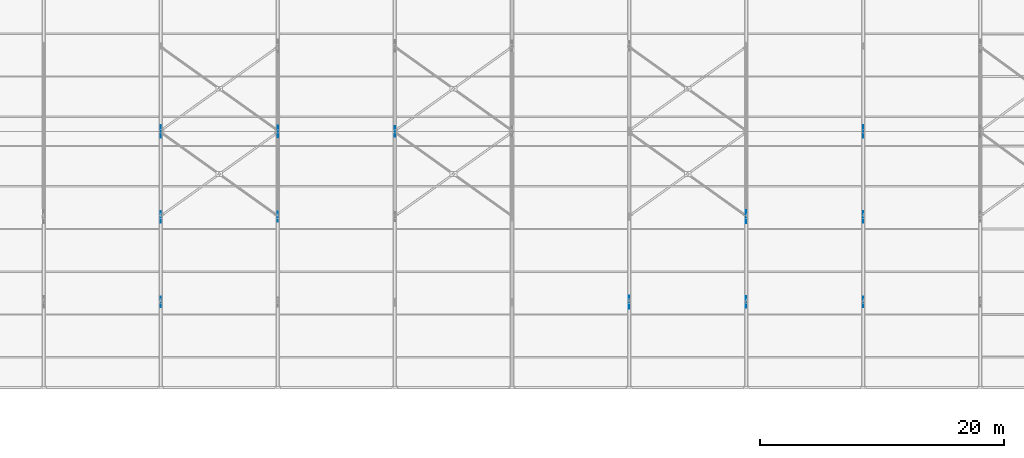
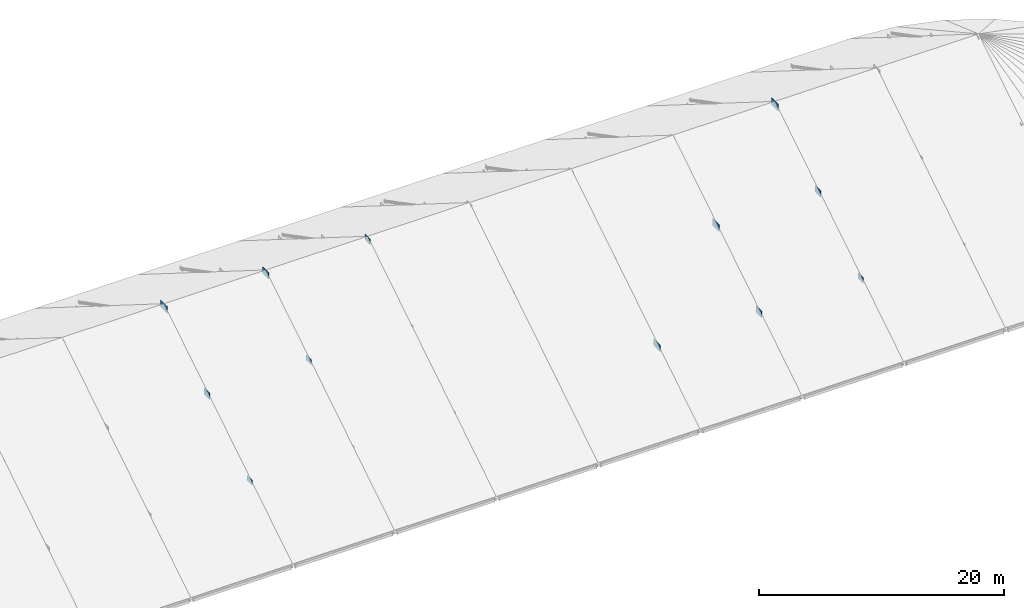
# One storey, part 30 of 66: 12 plates.
"""IFC4 building model written with IfcOpenShell, lengths in metres."""

import ifcopenshell
import ifcopenshell.guid

model = None  # the IFC model being written
_history = None  # IfcOwnerHistory: only IFC2X3 demands one
_inside = {}  # id of a spatial element -> (the spatial element, [elements in it])
_under = {}  # id of a project, library or spatial element -> (it, [spatial elements below it])
_declared = {}  # id of a project -> (the project, [libraries it declares])
_typed = {}  # id of a type object -> (the type object, [elements of that type])
_made_of = {}  # id of a material, layer set ... -> (it, [elements and type objects made of it])


def new_model(schema):
    """Start an empty IFC model of exactly this schema.

    Asked for "IFC4X3", IfcOpenShell would pick the latest addendum, in which some entities
    have other attributes; the version numbers below select the first issue.
    IFC2X3 requires an IfcOwnerHistory on every rooted entity: one is made here for all.
    """
    global model, _history
    if schema == "IFC4X3":
        model = ifcopenshell.file(schema_version=(4, 3, 0, 0))
    else:
        model = ifcopenshell.file(schema=schema)
    _inside.clear()
    _under.clear()
    _declared.clear()
    _typed.clear()
    _made_of.clear()
    _history = None
    if model.schema == "IFC2X3":
        org = make("IfcOrganization", Name="unknown")
        user = make(
            "IfcPersonAndOrganization",
            ThePerson=make("IfcPerson", FamilyName="unknown"),
            TheOrganization=org,
        )
        app = make(
            "IfcApplication",
            ApplicationDeveloper=org,
            Version="unknown",
            ApplicationFullName="unknown",
            ApplicationIdentifier="unknown",
        )
        _history = make(
            "IfcOwnerHistory",
            OwningUser=user,
            OwningApplication=app,
            ChangeAction="ADDED",
            CreationDate=0,
        )
    return model


def make(cls, **values):
    """One entity of the class cls with the attributes given. An attribute that is None is left unset."""
    return model.create_entity(
        cls, **{name: value for name, value in values.items() if value is not None}
    )


def rooted(cls, **values):
    """An entity with a GlobalId (a new one), such as an element, a storey or a relation."""
    return make(cls, GlobalId=ifcopenshell.guid.new(), OwnerHistory=_history, **values)


def si_unit(unit_type, name, prefix=None):
    """IfcSIUnit, for example si_unit("LENGTHUNIT", "METRE", prefix="MILLI")."""
    return make("IfcSIUnit", UnitType=unit_type, Prefix=prefix, Name=name)


def assignment(units):
    """IfcUnitAssignment: the units of a project."""
    return None if units is None else make("IfcUnitAssignment", Units=units)


def point(xyz):
    """IfcCartesianPoint."""
    return None if xyz is None else make("IfcCartesianPoint", Coordinates=xyz)


def direction(xyz):
    """IfcDirection."""
    return None if xyz is None else make("IfcDirection", DirectionRatios=xyz)


def frame(location, z_axis=None, x_axis=None):
    """IfcAxis2Placement3D, a coordinate frame: its origin and axes. An axis left out is left unset."""
    return make(
        "IfcAxis2Placement3D",
        Location=point(location),
        Axis=direction(z_axis),
        RefDirection=direction(x_axis),
    )


def frame_2d(location, x_axis=None):
    """IfcAxis2Placement2D, a coordinate frame in the plane: its origin and x axis."""
    return make(
        "IfcAxis2Placement2D", Location=point(location), RefDirection=direction(x_axis)
    )


def origin():
    """The frame at (0, 0, 0) with its axes left unset."""
    return frame((0.0, 0.0, 0.0))


def origin_2d():
    """The frame at (0, 0) in the plane with its x axis left unset."""
    return frame_2d((0.0, 0.0))


def place(relative_to, where):
    """IfcLocalPlacement: puts the frame where relative to a parent placement (None: the world)."""
    return make(
        "IfcLocalPlacement", PlacementRelTo=relative_to, RelativePlacement=where
    )


def context(
    kind, dimensions, precision=None, world=None, true_north=None, identifier=None
):
    """IfcGeometricRepresentationContext, for example the 3D "Model" context."""
    return make(
        "IfcGeometricRepresentationContext",
        ContextIdentifier=identifier,
        ContextType=kind,
        CoordinateSpaceDimension=dimensions,
        Precision=precision,
        WorldCoordinateSystem=world,
        TrueNorth=true_north,
    )


def subcontext(parent, identifier, kind, view, scale=None):
    """IfcGeometricRepresentationSubContext, for example "Body" below "Model"."""
    return make(
        "IfcGeometricRepresentationSubContext",
        ContextIdentifier=identifier,
        ContextType=kind,
        ParentContext=parent,
        TargetScale=scale,
        TargetView=view,
    )


def project(units=None, contexts=None):
    """IfcProject with its units and contexts."""
    return rooted(
        "IfcProject",
        Name="project",
        RepresentationContexts=contexts,
        UnitsInContext=assignment(units),
    )


def spatial(cls, under=None, at=None, **own):
    """A site, building, storey or space (cls), placed at a placement, below another one or the project."""
    s = rooted(cls, ObjectPlacement=at, **own)
    if under is not None:
        _under.setdefault(under.id(), (under, []))[1].append(s)
    return s


def profile(cls, at=None, kind="AREA", **sizes):
    """A parametric profile (cls). Its sizes go by their IFC names, for example OverallWidth=200.0."""
    return make(cls, ProfileType=kind, Position=at, **sizes)


def rectangle(**sizes):
    """IfcRectangleProfileDef."""
    return profile("IfcRectangleProfileDef", **sizes)


def extrude(swept, where, along, depth):
    """IfcExtrudedAreaSolid: the profile swept, set in the frame where, extruded along a direction by depth."""
    return make(
        "IfcExtrudedAreaSolid",
        SweptArea=swept,
        Position=where,
        ExtrudedDirection=direction(along),
        Depth=depth,
    )


def shape(context_of_items, identifier, shape_type, items):
    """IfcShapeRepresentation: the items that make up one representation, for example the "Body"."""
    return make(
        "IfcShapeRepresentation",
        ContextOfItems=context_of_items,
        RepresentationIdentifier=identifier,
        RepresentationType=shape_type,
        Items=items,
    )


def material(Name=None, Category=None):
    """IfcMaterial."""
    return make("IfcMaterial", Name=Name, Category=Category)


def layer(
    of_material, thickness, ventilated=None, Name=None, Category=None, Priority=None
):
    """IfcMaterialLayer: one layer of a wall or slab, of a material (None: an air gap)."""
    return make(
        "IfcMaterialLayer",
        Material=of_material,
        LayerThickness=thickness,
        IsVentilated=ventilated,
        Name=Name,
        Category=Category,
        Priority=Priority,
    )


def layer_set(layers, Name=None):
    """IfcMaterialLayerSet."""
    return make("IfcMaterialLayerSet", MaterialLayers=layers, LayerSetName=Name)


def made_of(thing, what):
    """Note that an element or type object is made of a material, layer set ...; save() writes the relation."""
    if what is not None:
        _made_of.setdefault(what.id(), (what, []))[1].append(thing)
    return thing


def type_object(cls, material=None, **own):
    """A type object (cls), such as IfcWallType, which elements share."""
    return made_of(rooted(cls, **own), material)


def element(
    cls,
    number,
    at=None,
    inside=None,
    cuts=None,
    type_object=None,
    material=None,
    context=None,
    identifier="Body",
    shape_type=None,
    held_by="IfcProductDefinitionShape",
    body=None,
    shapes=None,
    **own,
):
    """One element of the class cls, such as IfcWall. Its Tag is "e" and its number.

    at: its placement. inside: the storey or other place that contains it. cuts: it is an
    opening in that element (IfcRelVoidsElement). A single representation is given by context,
    identifier, shape_type and body (its items); several are given by shapes. held_by: the class
    of the entity that holds the representations. save() writes the other relations.
    """
    e = rooted(cls, Tag="e%d" % number, ObjectPlacement=at, **own)
    if body is not None:
        shapes = [shape(context, identifier, shape_type, body)]
    if shapes is not None:
        e.Representation = make(held_by, Representations=shapes)
    if inside is not None:
        _inside.setdefault(inside.id(), (inside, []))[1].append(e)
    if cuts is not None:
        rooted(
            "IfcRelVoidsElement", RelatingBuildingElement=cuts, RelatedOpeningElement=e
        )
    if type_object is not None:
        _typed.setdefault(type_object.id(), (type_object, []))[1].append(e)
    return made_of(e, material)


def aggregate(whole, parts):
    """IfcRelAggregates: a whole, such as a stair, and the parts it consists of."""
    return rooted("IfcRelAggregates", RelatingObject=whole, RelatedObjects=parts)


def save(model, path):
    """Write the relations noted so far, then the file.

    IfcRelAggregates (storeys below a building ...), IfcRelContainedInSpatialStructure (elements
    in a storey), IfcRelDefinesByType, IfcRelAssociatesMaterial and IfcRelDeclares: one each for
    every whole, place, type object, material and project.
    """
    for whole, parts in _under.values():
        aggregate(whole, parts)
    for where, things in _inside.values():
        rooted(
            "IfcRelContainedInSpatialStructure",
            RelatedElements=things,
            RelatingStructure=where,
        )
    for kind, things in _typed.values():
        rooted("IfcRelDefinesByType", RelatedObjects=things, RelatingType=kind)
    for what, things in _made_of.values():
        rooted("IfcRelAssociatesMaterial", RelatedObjects=things, RelatingMaterial=what)
    for by, libraries in _declared.values():
        rooted("IfcRelDeclares", RelatingContext=by, RelatedDefinitions=libraries)
    model.write(path)


model = new_model("IFC4")

# Units and contexts
model_context = context("Model", 3, precision=1e-05, world=origin(), true_north=direction((0.0, 1.0)))
body_context = subcontext(model_context, "Body", "Model", "MODEL_VIEW")
ifc_project = project(units=[si_unit("LENGTHUNIT", "METRE"), si_unit("AREAUNIT", "SQUARE_METRE"), si_unit("VOLUMEUNIT", "CUBIC_METRE"), si_unit("PLANEANGLEUNIT", "RADIAN"), si_unit("MASSUNIT", "GRAM", prefix="KILO")], contexts=[model_context])

# Site, building, storey
site_placement = place(None, origin())
site = spatial("IfcSite", under=ifc_project, at=site_placement, CompositionType="ELEMENT")
building_placement = place(site_placement, origin())
building = spatial("IfcBuilding", under=site, at=building_placement, Name="Yeouljin Market Hall", CompositionType="ELEMENT")
storey_placement = place(building_placement, frame((0.0, 0.0, 23.39990234375)))
storey = spatial("IfcBuildingStorey", under=building, at=storey_placement, Name="RF", CompositionType="ELEMENT", Elevation=23.39990234375)

# Plates
ifc_material_1 = material(Name="Steel SM355", Category="steel")
ifc_layer_1 = layer(ifc_material_1, 0.030029296875)
ifc_layer_set_1 = layer_set([ifc_layer_1], Name="Steel SM355")
plate_type_1 = type_object("IfcPlateType", Name="GussetPlate_1050x700x30", PredefinedType="USERDEFINED", material=ifc_layer_set_1)
for number, where, z_axis, x_axis, name in (
    (1, (64.199951171875, 57.0, 0.55029296875), (0.0, 0.0, 1.0), (0.0, 1.0, 0.0), "Truss node gusset plate 018"),
    (2, (102.60009765625, 43.0, -8.25), (0.0, 0.0, 1.0), (0.0, 1.0, 0.0), "Truss node gusset plate 036"),
    (3, (112.199951171875, 50.0, -3.85009765625), (0.0, 0.0, 1.0), (0.0, 1.0, 0.0), "Truss node gusset plate 042"),
    (4, (121.800048828125, 57.0, 0.55029296875), (0.0, 0.0, 1.0), (0.0, 1.0, 0.0), "Truss node gusset plate 048"),
):
    element("IfcPlate", number, at=place(storey_placement, frame(where, z_axis=z_axis, x_axis=x_axis)), inside=storey, type_object=plate_type_1, Name=name, ObjectType="GUSSET PLATE", PredefinedType="USERDEFINED", context=body_context, shape_type="SweptSolid", body=[
        extrude(rectangle(XDim=1.050048828125, YDim=0.030029296875, at=origin_2d()), origin(), (0.0, 0.0, 1.0), 0.699951171875),
    ])
ifc_material_2 = material(Name="Steel SM355", Category="steel")
ifc_layer_2 = layer(ifc_material_2, 0.02490234375)
ifc_layer_set_2 = layer_set([ifc_layer_2], Name="Steel SM355")
plate_type_2 = type_object("IfcPlateType", Name="GussetPlate_850x550x25", PredefinedType="USERDEFINED", material=ifc_layer_set_2)
for number, where, z_axis, x_axis, name in (
    (5, (64.199951171875, 43.0, -8.1748046875), (0.0, 0.0, 1.0), (0.0, 1.0, 0.0), "Truss node gusset plate 016"),
    (6, (73.800048828125, 50.0, -3.77490234375), (0.0, 0.0, 1.0), (0.0, 1.0, 0.0), "Truss node gusset plate 022"),
    (7, (83.39990234375, 57.0, 0.625), (0.0, 0.0, 1.0), (0.0, 1.0, 0.0), "Truss node gusset plate 028"),
    (8, (121.800048828125, 43.0, -8.1748046875), (0.0, 0.0, 1.0), (0.0, 1.0, 0.0), "Truss node gusset plate 046"),
):
    element("IfcPlate", number, at=place(storey_placement, frame(where, z_axis=z_axis, x_axis=x_axis)), inside=storey, type_object=plate_type_2, Name=name, ObjectType="GUSSET PLATE", PredefinedType="USERDEFINED", context=body_context, shape_type="SweptSolid", body=[
        extrude(rectangle(XDim=0.85009765625, YDim=0.02490234375, at=origin_2d()), origin(), (0.0, 0.0, 1.0), 0.550048828125),
    ])
ifc_material_3 = material(Name="Steel SM355", Category="steel")
ifc_layer_3 = layer(ifc_material_3, 0.028076171875)
ifc_layer_set_3 = layer_set([ifc_layer_3], Name="Steel SM355")
plate_type_3 = type_object("IfcPlateType", Name="GussetPlate_950x650x28", PredefinedType="USERDEFINED", material=ifc_layer_set_3)
for number, where, z_axis, x_axis, name in (
    (9, (64.199951171875, 50.0, -3.824951171875), (0.0, 0.0, 1.0), (0.0, 1.0, 0.0), "Truss node gusset plate 017"),
    (10, (73.800048828125, 57.0, 0.5751953125), (0.0, 0.0, 1.0), (0.0, 1.0, 0.0), "Truss node gusset plate 023"),
    (11, (112.199951171875, 43.0, -8.224853515625), (0.0, 0.0, 1.0), (0.0, 1.0, 0.0), "Truss node gusset plate 041"),
    (12, (121.800048828125, 50.0, -3.824951171875), (0.0, 0.0, 1.0), (0.0, 1.0, 0.0), "Truss node gusset plate 047"),
):
    element("IfcPlate", number, at=place(storey_placement, frame(where, z_axis=z_axis, x_axis=x_axis)), inside=storey, type_object=plate_type_3, Name=name, ObjectType="GUSSET PLATE", PredefinedType="USERDEFINED", context=body_context, shape_type="SweptSolid", body=[
        extrude(rectangle(XDim=0.949951171875, YDim=0.028076171875, at=origin_2d()), origin(), (0.0, 0.0, 1.0), 0.64990234375),
    ])

save(model, "model.ifc")
